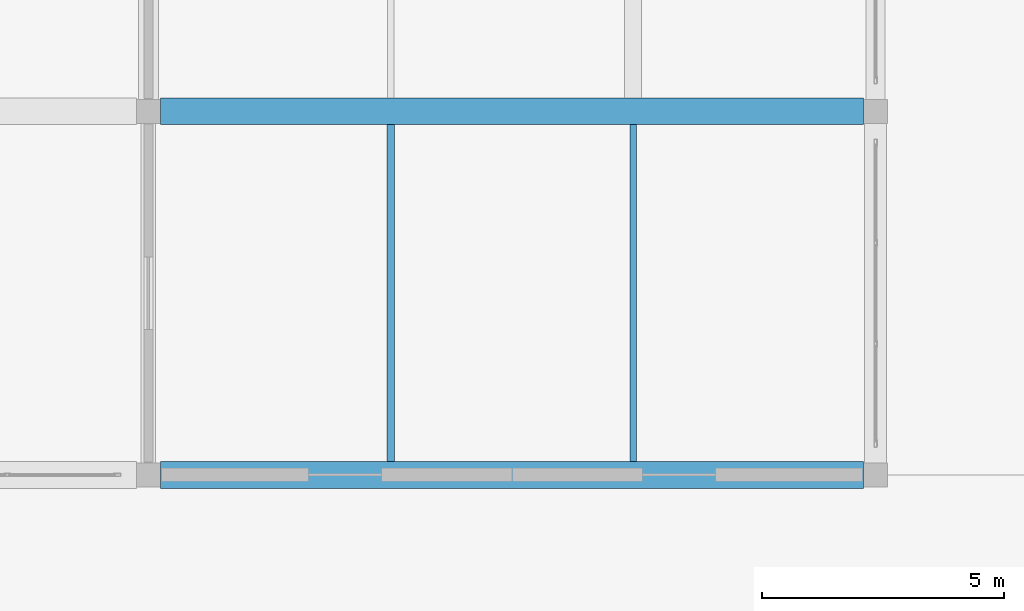
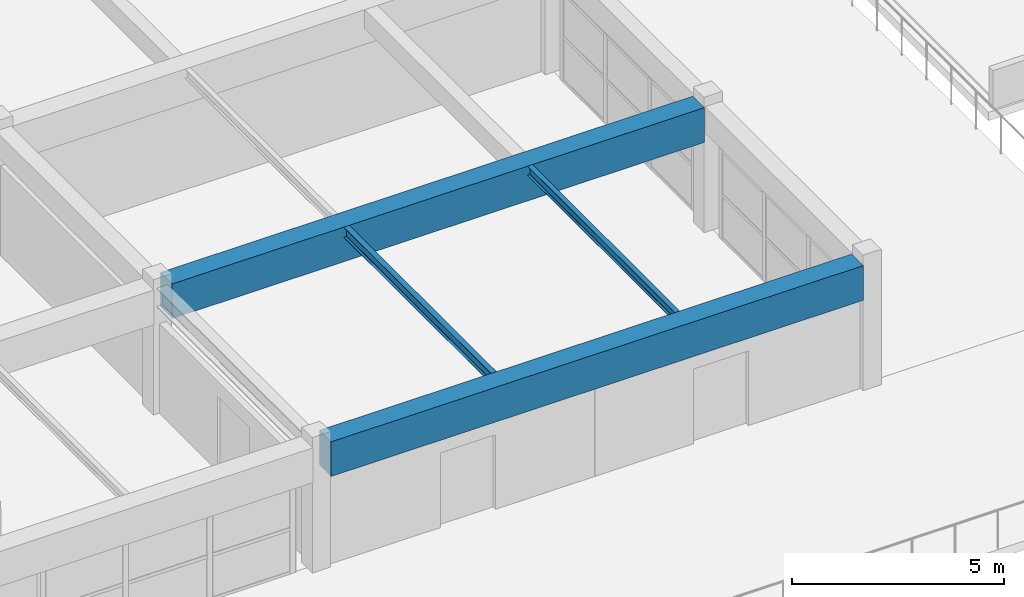
# One storey, part 7 of 82: 4 beams.
"""IFC4 building model written with IfcOpenShell, lengths in metres."""

from ifc_helpers import new_model, si_unit, direction, frame, origin, origin_2d, place, context, subcontext, project, spatial, rectangle, i_section, extrude, material, material_profile, profile_set, type_object, element, save


model = new_model("IFC4")

# Units and contexts
model_context = context("Model", 3, precision=1e-05, world=origin(), true_north=direction((0.0, 1.0)))
body_context = subcontext(model_context, "Body", "Model", "MODEL_VIEW")
ifc_project = project(units=[si_unit("LENGTHUNIT", "METRE"), si_unit("AREAUNIT", "SQUARE_METRE"), si_unit("VOLUMEUNIT", "CUBIC_METRE"), si_unit("PLANEANGLEUNIT", "RADIAN"), si_unit("MASSUNIT", "GRAM", prefix="KILO")], contexts=[model_context])

# Site, building, storey
site_placement = place(None, origin())
site = spatial("IfcSite", under=ifc_project, at=site_placement, CompositionType="ELEMENT")
building_placement = place(site_placement, origin())
building = spatial("IfcBuilding", under=site, at=building_placement, Name="Qasida Concert Hall", CompositionType="ELEMENT")
storey_placement = place(building_placement, frame((0.0, 0.0, 17.10009765625)))
storey = spatial("IfcBuildingStorey", under=building, at=storey_placement, Name="L04", CompositionType="ELEMENT", Elevation=17.10009765625)

# Beams
ifc_material_1 = material(Name="Concrete C40/50", Category="concrete")
ifc_material_profile_1 = material_profile(ifc_material_1, rectangle(XDim=0.550048828125, YDim=1.0, at=origin_2d()), Name="RC 550x1000")
ifc_profile_set_1 = profile_set([ifc_material_profile_1], Name="Concrete C40/50")
beam_type_1 = type_object("IfcBeamType", Name="BM-G3", PredefinedType="USERDEFINED", material=ifc_profile_set_1)
for number, where, z_axis, x_axis, name in (
    (1, (15.25, 22.5, 3.119873046875), (1.0, 0.0, 0.0), (0.0, 1.0, 0.0), "Primary girder 1894"),
    (2, (15.25, 30.0, 3.119873046875), (1.0, 0.0, 0.0), (0.0, 1.0, 0.0), "Primary girder 1896"),
):
    element("IfcBeam", number, at=place(storey_placement, frame(where, z_axis=z_axis, x_axis=x_axis)), inside=storey, type_object=beam_type_1, Name=name, ObjectType="GIRDER", PredefinedType="USERDEFINED", context=body_context, shape_type="SweptSolid", body=[
        extrude(rectangle(XDim=0.550048828125, YDim=1.0, at=origin_2d()), origin(), (0.0, 0.0, 1.0), 14.5),
    ])
ifc_material_2 = material(Name="Steel S355J2", Category="steel")
ifc_material_profile_2 = material_profile(ifc_material_2, i_section(OverallWidth=0.14990234375, OverallDepth=0.300048828125, WebThickness=0.007080078125, FlangeThickness=0.0107421875, FilletRadius=0.014892578125, at=origin_2d()), Name="IPE 300")
ifc_profile_set_2 = profile_set([ifc_material_profile_2], Name="Steel S355J2")
beam_type_2 = type_object("IfcBeamType", Name="BM-J4", PredefinedType="JOIST", material=ifc_profile_set_2)
beam_1_placement = place(storey_placement, frame((20.0, 22.77490234375, 3.469970703125), z_axis=(0.0, 1.0, 0.0), x_axis=(-1.0, 0.0, 0.0)))
element("IfcBeam", 3, at=beam_1_placement, inside=storey, type_object=beam_type_2, Name="L04 secondary joist 1923", PredefinedType="JOIST", context=body_context, shape_type="SweptSolid", body=[
    extrude(i_section(OverallWidth=0.14990234375, OverallDepth=0.300048828125, WebThickness=0.007080078125, FlangeThickness=0.0107421875, FilletRadius=0.014892578125, at=origin_2d()), origin(), (0.0, 0.0, 1.0), 6.9501953125),
])
ifc_material_profile_3 = material_profile(ifc_material_2, i_section(OverallWidth=0.135009765625, OverallDepth=0.27001953125, WebThickness=0.006591796875, FlangeThickness=0.01025390625, FilletRadius=0.014892578125, at=origin_2d()), Name="IPE 270")
ifc_profile_set_3 = profile_set([ifc_material_profile_3], Name="Steel S355J2")
beam_type_3 = type_object("IfcBeamType", Name="BM-J6", PredefinedType="JOIST", material=ifc_profile_set_3)
beam_2_placement = place(storey_placement, frame((25.0, 22.77490234375, 3.48486328125), z_axis=(0.0, 1.0, 0.0), x_axis=(-1.0, 0.0, 0.0)))
element("IfcBeam", 4, at=beam_2_placement, inside=storey, type_object=beam_type_3, Name="L04 secondary joist 1924", PredefinedType="JOIST", context=body_context, shape_type="SweptSolid", body=[
    extrude(i_section(OverallWidth=0.135009765625, OverallDepth=0.27001953125, WebThickness=0.006591796875, FlangeThickness=0.01025390625, FilletRadius=0.014892578125, at=origin_2d()), origin(), (0.0, 0.0, 1.0), 6.9501953125),
])

save(model, "model.ifc")
